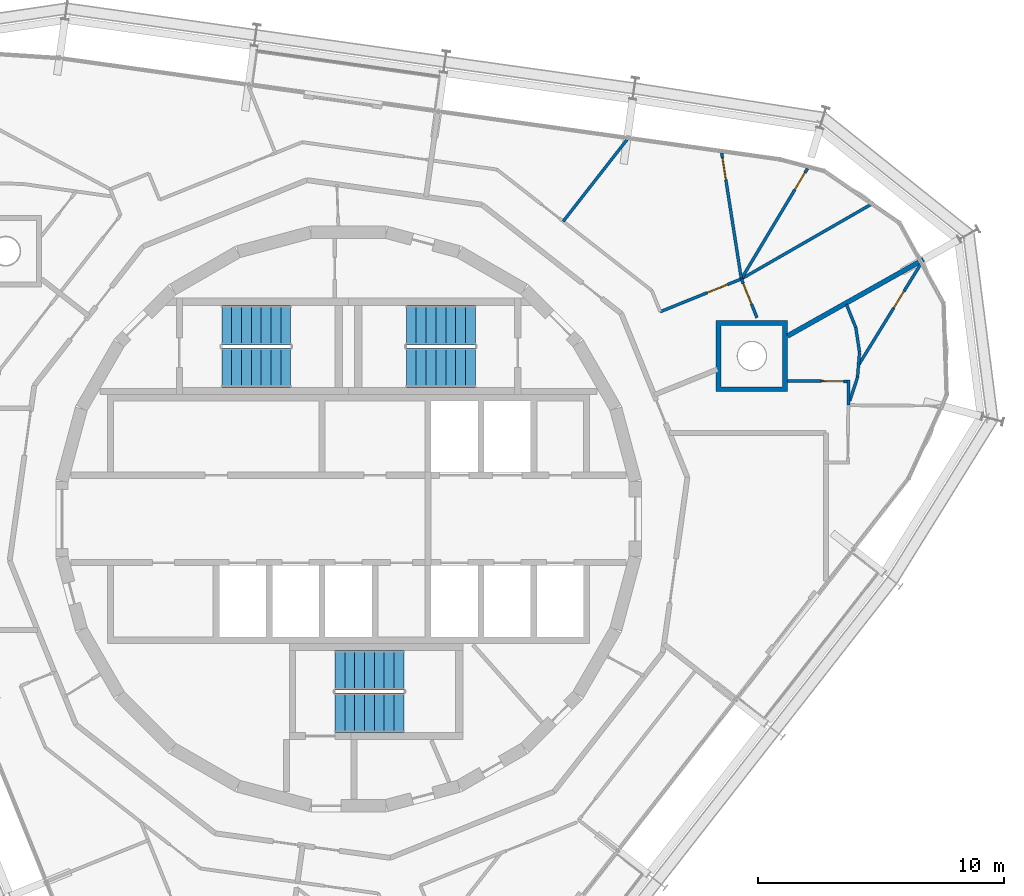
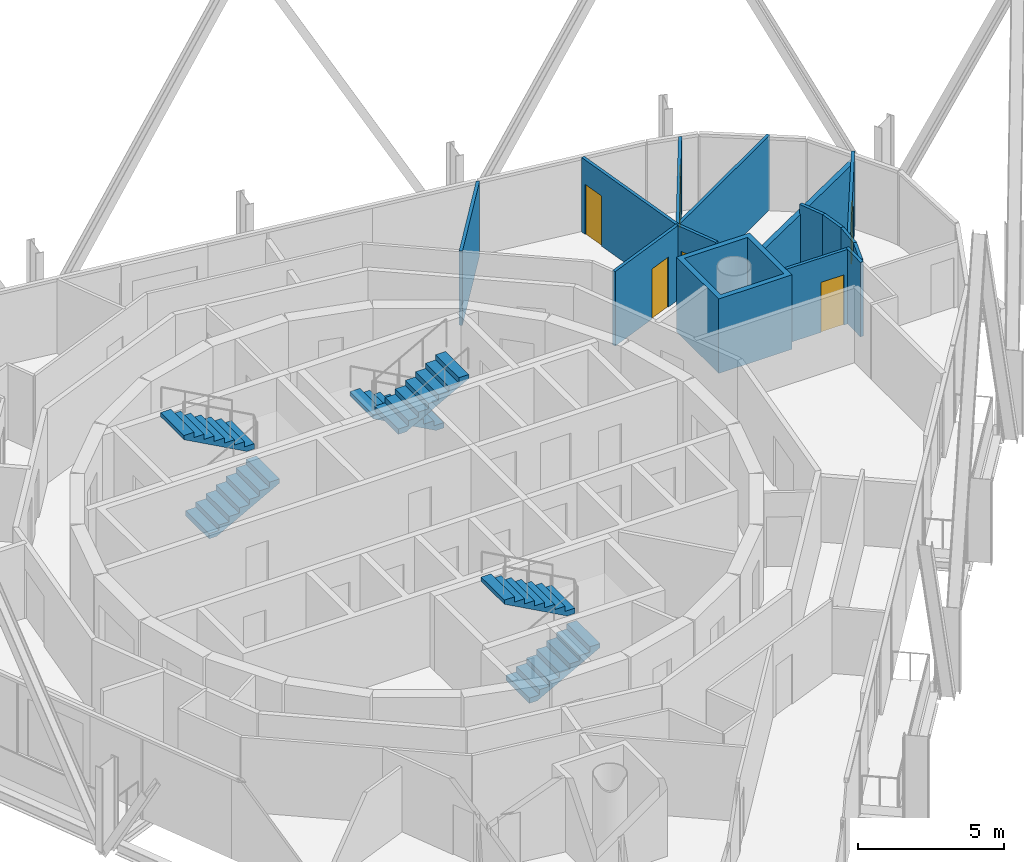
# One storey, part 14 of 15: 15 walls, 6 doors, 6 stair flights, 6 openings, 3 elements without a shape of their own.
"""IFC4 building model written with IfcOpenShell, lengths in metres."""

from ifc_helpers import new_model, si_unit, direction, frame, frame_2d, origin, place, context, subcontext, project, spatial, polyline, rectangle, outline, extrude, material, layer, layer_set, type_object, element, fill, aggregate, save


model = new_model("IFC4")

# Units and contexts
model_context = context("Model", 3, precision=1e-05, world=origin(), true_north=direction((0.0, 1.0)))
body_context = subcontext(model_context, "Body", "Model", "MODEL_VIEW")
ifc_project = project(units=[si_unit("LENGTHUNIT", "METRE"), si_unit("AREAUNIT", "SQUARE_METRE"), si_unit("VOLUMEUNIT", "CUBIC_METRE"), si_unit("PLANEANGLEUNIT", "RADIAN"), si_unit("MASSUNIT", "GRAM", prefix="KILO")], contexts=[model_context])

# Site, building, storey
site_placement = place(None, origin())
site = spatial("IfcSite", under=ifc_project, at=site_placement, CompositionType="ELEMENT")
building_placement = place(site_placement, origin())
building = spatial("IfcBuilding", under=site, at=building_placement, Name="Spindle Arch Residences", CompositionType="ELEMENT")
storey_placement = place(building_placement, frame((0.0, 0.0, 347.0)))
storey = spatial("IfcBuildingStorey", under=building, at=storey_placement, Name="L89", CompositionType="ELEMENT", Elevation=347.0)

# Wall
ifc_material_1 = material(Name="Plasterboard on steel studs", Category="steel")
ifc_layer_1 = layer(ifc_material_1, 0.1201171875)
ifc_layer_set_1 = layer_set([ifc_layer_1], Name="Flat partition 120")
wall_type_1 = type_object("IfcWallType", Name="Flat partition 120", PredefinedType="PARTITIONING", material=ifc_layer_set_1)
wall_1_placement = place(storey_placement, frame((20.30615234375, 4.638671875, 0.0), z_axis=(0.0, 0.0, 1.0), x_axis=(0.008906724211, 0.999960334345, 0.0)))
element("IfcWall", 1, at=wall_1_placement, inside=storey, type_object=wall_type_1, Name="Flat partition R9B0-W033", PredefinedType="PARTITIONING", context=body_context, shape_type="SweptSolid", body=[
    extrude(rectangle(XDim=1.01416015625, YDim=0.1201171875, at=frame_2d((0.507080078125, 0.0))), origin(), (0.0, 0.0, 1.0), 3.1201171875),
])

# Wall, opening, door
wall_2_placement = place(storey_placement, frame((20.314697265625, 5.593017578125, 0.0), z_axis=(0.0, 0.0, 1.0), x_axis=(-0.999960597409, 0.008877140833, 0.0)))
wall_2 = element("IfcWall", 2, at=wall_2_placement, inside=storey, type_object=wall_type_1, Name="Flat partition R9B0-W034", PredefinedType="PARTITIONING", context=body_context, shape_type="SweptSolid", body=[
    extrude(rectangle(XDim=2.47509765625, YDim=0.1201171875, at=frame_2d((1.237548828125, 0.0))), origin(), (0.0, 0.0, 1.0), 3.1201171875),
])
opening_1_placement = place(wall_2_placement, frame((0.199951171875, 0.0, 0.0)))
opening_1 = element("IfcOpeningElement", 3, at=opening_1_placement, cuts=wall_2, Name="Opening R9B0-ID02", PredefinedType="OPENING", context=body_context, shape_type="SweptSolid", body=[
    extrude(rectangle(XDim=0.89990234375, YDim=2.10009765625, at=frame_2d((0.449951171875, 1.050048828125))), frame((0.0, 0.070068359375, 0.0), z_axis=(0.0, -1.0, 0.0), x_axis=(1.0, 0.0, 0.0)), (0.0, 0.0, 1.0), 0.14013671875),
])
ifc_material_2 = material(Name="Timber door set", Category="wood")
door_type_1 = type_object("IfcDoorType", Name="Room door 900x2100", OperationType="NOTDEFINED", PredefinedType="DOOR", material=ifc_material_2)
door_1_placement = place(opening_1_placement, origin())
door_1 = element("IfcDoor", 4, at=door_1_placement, inside=storey, type_object=door_type_1, Name="Room door R9B0-ID02", OperationType="SINGLE_SWING_RIGHT", OverallHeight=2.10009765625, OverallWidth=0.89990234375, PredefinedType="DOOR", context=body_context, shape_type="SweptSolid", body=[
    extrude(rectangle(XDim=0.89990234375, YDim=2.10009765625, at=frame_2d((0.449951171875, 1.050048828125))), frame((0.0, 0.02490234375, 0.0), z_axis=(0.0, -1.0, 0.0), x_axis=(1.0, 0.0, 0.0)), (0.0, 0.0, 1.0), 0.050048828125),
])
fill(opening_1, door_1)

# Walls
wall_3_placement = place(storey_placement, frame((20.762451171875, 6.774658203125, 0.0), z_axis=(0.0, 0.0, 1.0), x_axis=(-0.08121587, -0.996696534789, 0.0)))
element("IfcWall", 5, at=wall_3_placement, inside=storey, type_object=wall_type_1, Name="Flat partition R9B0-W036", PredefinedType="PARTITIONING", context=body_context, shape_type="SweptSolid", body=[
    extrude(rectangle(XDim=1.01611328125, YDim=0.1201171875, at=frame_2d((0.508056640625, 0.0))), origin(), (0.0, 0.0, 1.0), 3.1201171875),
])
wall_4_placement = place(storey_placement, frame((20.679931640625, 5.761962890625, 0.0), z_axis=(0.0, 0.0, 1.0), x_axis=(-0.30908063779, -0.951035834942, 0.0)))
element("IfcWall", 6, at=wall_4_placement, inside=storey, type_object=wall_type_1, Name="Flat partition R9B0-W037", PredefinedType="PARTITIONING", context=body_context, shape_type="SweptSolid", body=[
    extrude(rectangle(XDim=1.015869140625, YDim=0.1201171875, at=frame_2d((0.5078125, 0.0))), origin(), (0.0, 0.0, 1.0), 3.1201171875),
])

# Wall, opening, door
wall_5_placement = place(storey_placement, frame((23.357421875, 10.532470703125, 0.0), z_axis=(0.0, 0.0, 1.0), x_axis=(-0.524476563806, -0.851424884542, 0.0)))
wall_5 = element("IfcWall", 7, at=wall_5_placement, inside=storey, type_object=wall_type_1, Name="Flat partition R9B0-W038", PredefinedType="PARTITIONING", context=body_context, shape_type="SweptSolid", body=[
    extrude(rectangle(XDim=5.029296875, YDim=0.1201171875, at=frame_2d((2.5146484375, 0.0))), origin(), (0.0, 0.0, 1.0), 3.1201171875),
])
opening_2_placement = place(wall_5_placement, frame((1.5, 0.0, 0.0)))
opening_2 = element("IfcOpeningElement", 8, at=opening_2_placement, cuts=wall_5, Name="Opening R9B0-BD01", PredefinedType="OPENING", context=body_context, shape_type="SweptSolid", body=[
    extrude(rectangle(XDim=0.800048828125, YDim=2.10009765625, at=frame_2d((0.39990234375, 1.050048828125))), frame((0.0, 0.070068359375, 0.0), z_axis=(0.0, -1.0, 0.0), x_axis=(1.0, 0.0, 0.0)), (0.0, 0.0, 1.0), 0.14013671875),
])
ifc_material_3 = material(Name="Timber door set", Category="wood")
door_type_2 = type_object("IfcDoorType", Name="Bathroom door 800x2100", OperationType="NOTDEFINED", PredefinedType="DOOR", material=ifc_material_3)
door_2_placement = place(opening_2_placement, origin())
door_2 = element("IfcDoor", 9, at=door_2_placement, inside=storey, type_object=door_type_2, Name="Bathroom door R9B0-BD01", OperationType="SINGLE_SWING_RIGHT", OverallHeight=2.10009765625, OverallWidth=0.800048828125, PredefinedType="DOOR", context=body_context, shape_type="SweptSolid", body=[
    extrude(rectangle(XDim=0.800048828125, YDim=2.10009765625, at=frame_2d((0.39990234375, 1.050048828125))), frame((0.0, 0.02490234375, 0.0), z_axis=(0.0, -1.0, 0.0), x_axis=(1.0, 0.0, 0.0)), (0.0, 0.0, 1.0), 0.050048828125),
])
fill(opening_2, door_2)

# Walls
wall_6_placement = place(storey_placement, frame((20.762451171875, 6.774658203125, 0.0), z_axis=(0.0, 0.0, 1.0), x_axis=(-0.150702440861, 0.988579169474, 0.0)))
element("IfcWall", 10, at=wall_6_placement, inside=storey, type_object=wall_type_1, Name="Flat partition R9B0-W039", PredefinedType="PARTITIONING", context=body_context, shape_type="SweptSolid", body=[
    extrude(rectangle(XDim=1.015869140625, YDim=0.1201171875, at=frame_2d((0.5078125, 0.0))), origin(), (0.0, 0.0, 1.0), 3.1201171875),
])
wall_7_placement = place(storey_placement, frame((20.609375, 7.77880859375, 0.0), z_axis=(0.0, 0.0, 1.0), x_axis=(-0.374371668856, 0.927278735633, 0.0)))
element("IfcWall", 11, at=wall_7_placement, inside=storey, type_object=wall_type_1, Name="Flat partition R9B0-W040", PredefinedType="PARTITIONING", context=body_context, shape_type="SweptSolid", body=[
    extrude(rectangle(XDim=1.01611328125, YDim=0.1201171875, at=frame_2d((0.508056640625, 0.0))), origin(), (0.0, 0.0, 1.0), 3.1201171875),
])

# Wall, opening, door
wall_8_placement = place(storey_placement, frame((16.59716796875, 8.177001953125, 0.0), z_axis=(0.0, 0.0, 1.0), x_axis=(-0.374631609957, 0.927173746835, 0.0)))
wall_8 = element("IfcWall", 12, at=wall_8_placement, inside=storey, type_object=wall_type_1, Name="Flat partition R9B0-W041", PredefinedType="PARTITIONING", context=body_context, shape_type="SweptSolid", body=[
    extrude(rectangle(XDim=1.7001953125, YDim=0.1201171875, at=frame_2d((0.85009765625, 0.0))), origin(), (0.0, 0.0, 1.0), 3.1201171875),
])
opening_3_placement = place(wall_8_placement, frame((0.60009765625, 0.0, 0.0)))
opening_3 = element("IfcOpeningElement", 13, at=opening_3_placement, cuts=wall_8, Name="Opening R9B0-ID04", PredefinedType="OPENING", context=body_context, shape_type="SweptSolid", body=[
    extrude(rectangle(XDim=0.89990234375, YDim=2.10009765625, at=frame_2d((0.449951171875, 1.050048828125))), frame((0.0, 0.070068359375, 0.0), z_axis=(0.0, -1.0, 0.0), x_axis=(1.0, 0.0, 0.0)), (0.0, 0.0, 1.0), 0.14013671875),
])
door_3_placement = place(opening_3_placement, origin())
door_3 = element("IfcDoor", 14, at=door_3_placement, inside=storey, type_object=door_type_1, Name="Room door R9B0-ID04", OperationType="SINGLE_SWING_LEFT", OverallHeight=2.10009765625, OverallWidth=0.89990234375, PredefinedType="DOOR", context=body_context, shape_type="SweptSolid", body=[
    extrude(rectangle(XDim=0.89990234375, YDim=2.10009765625, at=frame_2d((0.449951171875, 1.050048828125))), frame((0.0, 0.02490234375, 0.0), z_axis=(0.0, -1.0, 0.0), x_axis=(1.0, 0.0, 0.0)), (0.0, 0.0, 1.0), 0.050048828125),
])
fill(opening_3, door_3)

wall_9_placement = place(storey_placement, frame((15.960205078125, 9.75341796875, 0.0), z_axis=(0.0, 0.0, 1.0), x_axis=(-0.927148174805, -0.37469489182, 0.0)))
wall_9 = element("IfcWall", 15, at=wall_9_placement, inside=storey, type_object=wall_type_1, Name="Flat partition R9B0-W042", PredefinedType="PARTITIONING", context=body_context, shape_type="SweptSolid", body=[
    extrude(rectangle(XDim=3.5517578125, YDim=0.1201171875, at=frame_2d((1.77587890625, 0.0))), origin(), (0.0, 0.0, 1.0), 3.1201171875),
])
opening_4_placement = place(wall_9_placement, frame((0.60009765625, 0.0, 0.0)))
opening_4 = element("IfcOpeningElement", 16, at=opening_4_placement, cuts=wall_9, Name="Opening R9B0-ID05", PredefinedType="OPENING", context=body_context, shape_type="SweptSolid", body=[
    extrude(rectangle(XDim=0.89990234375, YDim=2.10009765625, at=frame_2d((0.449951171875, 1.050048828125))), frame((0.0, 0.070068359375, 0.0), z_axis=(0.0, -1.0, 0.0), x_axis=(1.0, 0.0, 0.0)), (0.0, 0.0, 1.0), 0.14013671875),
])
door_4_placement = place(opening_4_placement, origin())
door_4 = element("IfcDoor", 17, at=door_4_placement, inside=storey, type_object=door_type_1, Name="Room door R9B0-ID05", OperationType="SINGLE_SWING_RIGHT", OverallHeight=2.10009765625, OverallWidth=0.89990234375, PredefinedType="DOOR", context=body_context, shape_type="SweptSolid", body=[
    extrude(rectangle(XDim=0.89990234375, YDim=2.10009765625, at=frame_2d((0.449951171875, 1.050048828125))), frame((0.0, 0.02490234375, 0.0), z_axis=(0.0, -1.0, 0.0), x_axis=(1.0, 0.0, 0.0)), (0.0, 0.0, 1.0), 0.050048828125),
])
fill(opening_4, door_4)

# Wall
wall_10_placement = place(storey_placement, frame((21.3427734375, 12.847412109375, 0.0), z_axis=(0.0, 0.0, 1.0), x_axis=(-0.866974691568, -0.498352168832, 0.0)))
element("IfcWall", 18, at=wall_10_placement, inside=storey, type_object=wall_type_1, Name="Flat partition R9B0-W046", PredefinedType="PARTITIONING", context=body_context, shape_type="SweptSolid", body=[
    extrude(rectangle(XDim=6.20849609375, YDim=0.1201171875, at=frame_2d((3.104248046875, 0.0))), origin(), (0.0, 0.0, 1.0), 3.1201171875),
])

# Wall, opening, door
wall_11_placement = place(storey_placement, frame((18.6494140625, 14.243896484375, 0.0), z_axis=(0.0, 0.0, 1.0), x_axis=(-0.513782200586, -0.85792065505, 0.0)))
wall_11 = element("IfcWall", 19, at=wall_11_placement, inside=storey, type_object=wall_type_1, Name="Flat partition R9B0-W047", PredefinedType="PARTITIONING", context=body_context, shape_type="SweptSolid", body=[
    extrude(rectangle(XDim=5.234130859375, YDim=0.1201171875, at=frame_2d((2.6171875, 0.0))), origin(), (0.0, 0.0, 1.0), 3.1201171875),
])
opening_5_placement = place(wall_11_placement, frame((0.199951171875, 0.0, 0.0)))
opening_5 = element("IfcOpeningElement", 20, at=opening_5_placement, cuts=wall_11, Name="Opening R9B0-BD02", PredefinedType="OPENING", context=body_context, shape_type="SweptSolid", body=[
    extrude(rectangle(XDim=0.800048828125, YDim=2.10009765625, at=frame_2d((0.39990234375, 1.050048828125))), frame((0.0, 0.070068359375, 0.0), z_axis=(0.0, -1.0, 0.0), x_axis=(1.0, 0.0, 0.0)), (0.0, 0.0, 1.0), 0.14013671875),
])
door_5_placement = place(opening_5_placement, origin())
door_5 = element("IfcDoor", 21, at=door_5_placement, inside=storey, type_object=door_type_2, Name="Bathroom door R9B0-BD02", OperationType="SINGLE_SWING_LEFT", OverallHeight=2.10009765625, OverallWidth=0.800048828125, PredefinedType="DOOR", context=body_context, shape_type="SweptSolid", body=[
    extrude(rectangle(XDim=0.800048828125, YDim=2.10009765625, at=frame_2d((0.39990234375, 1.050048828125))), frame((0.0, 0.02490234375, 0.0), z_axis=(0.0, -1.0, 0.0), x_axis=(1.0, 0.0, 0.0)), (0.0, 0.0, 1.0), 0.050048828125),
])
fill(opening_5, door_5)

wall_12_placement = place(storey_placement, frame((15.16015625, 14.873291015625, 0.0), z_axis=(0.0, 0.0, 1.0), x_axis=(0.154389815045, -0.988010012606, 0.0)))
wall_12 = element("IfcWall", 22, at=wall_12_placement, inside=storey, type_object=wall_type_1, Name="Flat partition R9B0-W048", PredefinedType="PARTITIONING", context=body_context, shape_type="SweptSolid", body=[
    extrude(rectangle(XDim=5.181884765625, YDim=0.1201171875, at=frame_2d((2.5908203125, 0.0))), origin(), (0.0, 0.0, 1.0), 3.1201171875),
])
opening_6_placement = place(wall_12_placement, frame((0.199951171875, 0.0, 0.0)))
opening_6 = element("IfcOpeningElement", 23, at=opening_6_placement, cuts=wall_12, Name="Opening R9B0-ID07", PredefinedType="OPENING", context=body_context, shape_type="SweptSolid", body=[
    extrude(rectangle(XDim=0.89990234375, YDim=2.10009765625, at=frame_2d((0.449951171875, 1.050048828125))), frame((0.0, 0.070068359375, 0.0), z_axis=(0.0, -1.0, 0.0), x_axis=(1.0, 0.0, 0.0)), (0.0, 0.0, 1.0), 0.14013671875),
])
door_6_placement = place(opening_6_placement, origin())
door_6 = element("IfcDoor", 24, at=door_6_placement, inside=storey, type_object=door_type_1, Name="Room door R9B0-ID07", OperationType="SINGLE_SWING_LEFT", OverallHeight=2.10009765625, OverallWidth=0.89990234375, PredefinedType="DOOR", context=body_context, shape_type="SweptSolid", body=[
    extrude(rectangle(XDim=0.89990234375, YDim=2.10009765625, at=frame_2d((0.449951171875, 1.050048828125))), frame((0.0, 0.02490234375, 0.0), z_axis=(0.0, -1.0, 0.0), x_axis=(1.0, 0.0, 0.0)), (0.0, 0.0, 1.0), 0.050048828125),
])
fill(opening_6, door_6)

# Walls
wall_13_placement = place(storey_placement, frame((11.315185546875, 15.413818359375, 0.0), z_axis=(0.0, 0.0, 1.0), x_axis=(-0.615656413137, -0.788014708596, 0.0)))
element("IfcWall", 25, at=wall_13_placement, inside=storey, type_object=wall_type_1, Name="Flat partition R9B0-W049", PredefinedType="PARTITIONING", context=body_context, shape_type="SweptSolid", body=[
    extrude(rectangle(XDim=4.212646484375, YDim=0.1201171875, at=frame_2d((2.1064453125, 0.0))), origin(), (0.0, 0.0, 1.0), 3.1201171875),
])
ifc_material_4 = material(Name="Calcium silicate block, plastered")
ifc_layer_2 = layer(ifc_material_4, 0.199951171875)
ifc_layer_set_2 = layer_set([ifc_layer_2], Name="Flat party wall 200 under beam 2730")
wall_type_2 = type_object("IfcWallType", Name="Flat party wall 200 under beam 2730", PredefinedType="STANDARD", material=ifc_layer_set_2)
wall_14_placement = place(storey_placement, frame((23.354248046875, 10.536865234375, 0.0), z_axis=(0.0, 0.0, 1.0), x_axis=(-0.871719790551, -0.490004700754, 0.0)))
element("IfcWall", 26, at=wall_14_placement, inside=storey, type_object=wall_type_2, Name="Flat party wall R9B0-W024", PredefinedType="STANDARD", context=body_context, shape_type="SweptSolid", body=[
    extrude(rectangle(XDim=6.326171875, YDim=0.199951171875, at=frame_2d((3.1630859375, 0.0))), origin(), (0.0, 0.0, 1.0), 2.72998046875),
])
ifc_material_5 = material(Name="Calcium silicate block, plastered")
ifc_layer_3 = layer(ifc_material_5, 0.199951171875)
ifc_layer_set_3 = layer_set([ifc_layer_3], Name="Mega-column casing wall 200")
wall_type_3 = type_object("IfcWallType", Name="Mega-column casing wall 200", PredefinedType="STANDARD", material=ifc_layer_set_3)
wall_15_placement = place(storey_placement, origin())
element("IfcWall", 27, at=wall_15_placement, inside=storey, type_object=wall_type_3, Name="Mega-column casing wall R9B0-WC01", PredefinedType="STANDARD", context=body_context, shape_type="SweptSolid", body=[
    extrude(outline(polyline([(17.839599609375, 8.072021484375), (17.839599609375, 5.171875), (14.939697265625, 5.171875), (14.939697265625, 8.072021484375), (17.839599609375, 8.072021484375)]), holes=[polyline([(15.1396484375, 5.371826171875), (17.6396484375, 5.371826171875), (17.6396484375, 7.871826171875), (15.1396484375, 7.871826171875), (15.1396484375, 5.371826171875)])]), origin(), (0.0, 0.0, 1.0), 3.1201171875),
])

# Stair, stair flights
ifc_material_6 = material(Name="Concrete C50/60", Category="concrete")
stair_type = type_object("IfcStairType", Name="Exit stair 16 risers", PredefinedType="HALF_TURN_STAIR", material=ifc_material_6)
stair_1_placement = place(storey_placement, origin())
stair_1 = element("IfcStair", 28, at=stair_1_placement, inside=storey, type_object=stair_type, Name="L89 Exit stair ST1", PredefinedType="HALF_TURN_STAIR")
ifc_material_7 = material(Name="Concrete C50/60", Category="concrete")
stair_flight_type = type_object("IfcStairFlightType", Name="Exit stair flight", PredefinedType="STRAIGHT", material=ifc_material_7)
stair_flight_1_placement = place(storey_placement, frame((5.14990234375, 7.8701171875, 0.0), z_axis=(0.0, 0.0, 1.0), x_axis=(-1.0, 0.0, 0.0)))
stair_flight_1 = element("IfcStairFlight", 29, at=stair_flight_1_placement, type_object=stair_flight_type, Name="ST1 flight 1", NumberOfRisers=8, NumberOfTreads=7, PredefinedType="STRAIGHT", RiserHeight=0.21875, TreadLength=0.4, context=body_context, shape_type="SweptSolid", body=[
    extrude(outline(polyline([(0.0, 0.0), (0.0, 0.21875), (0.39990234375, 0.21875), (0.39990234375, 0.4375), (0.800048828125, 0.4375), (0.800048828125, 0.65625), (1.199951171875, 0.65625), (1.199951171875, 0.875), (1.60009765625, 0.875), (1.60009765625, 1.09375), (2.0, 1.09375), (2.0, 1.3125), (2.39990234375, 1.3125), (2.39990234375, 1.53125), (2.800048828125, 1.53125), (2.800048828125, 1.75), (2.800048828125, 1.3603515625), (0.3125, 0.0), (0.0, 0.0)])), frame((0.0, 0.800048828125, 0.0), z_axis=(0.0, -1.0, 0.0), x_axis=(1.0, 0.0, 0.0)), (0.0, 0.0, 1.0), 1.60009765625),
])
stair_flight_2_placement = place(storey_placement, frame((2.35009765625, 6.14990234375, 1.75), z_axis=(0.0, 0.0, 1.0), x_axis=(1.0, 0.0, 0.0)))
stair_flight_2 = element("IfcStairFlight", 30, at=stair_flight_2_placement, type_object=stair_flight_type, Name="ST1 flight 2", NumberOfRisers=8, NumberOfTreads=7, PredefinedType="STRAIGHT", RiserHeight=0.21875, TreadLength=0.4, context=body_context, shape_type="SweptSolid", body=[
    extrude(outline(polyline([(0.0, 0.0), (0.0, 0.21875), (0.39990234375, 0.21875), (0.39990234375, 0.4375), (0.800048828125, 0.4375), (0.800048828125, 0.65625), (1.199951171875, 0.65625), (1.199951171875, 0.875), (1.60009765625, 0.875), (1.60009765625, 1.09375), (2.0, 1.09375), (2.0, 1.3125), (2.39990234375, 1.3125), (2.39990234375, 1.53125), (2.800048828125, 1.53125), (2.800048828125, 1.75), (2.800048828125, 1.3603515625), (0.3125, 0.0), (0.0, 0.0)])), frame((0.0, 0.800048828125, 0.0), z_axis=(0.0, -1.0, 0.0), x_axis=(1.0, 0.0, 0.0)), (0.0, 0.0, 1.0), 1.60009765625),
])
aggregate(stair_1, [stair_flight_1, stair_flight_2])

stair_2_placement = place(storey_placement, origin())
stair_2 = element("IfcStair", 31, at=stair_2_placement, inside=storey, type_object=stair_type, Name="L89 Exit stair ST2", PredefinedType="HALF_TURN_STAIR")
stair_flight_3_placement = place(storey_placement, frame((-5.14990234375, 6.14990234375, 0.0), z_axis=(0.0, 0.0, 1.0), x_axis=(1.0, 0.0, 0.0)))
stair_flight_3 = element("IfcStairFlight", 32, at=stair_flight_3_placement, type_object=stair_flight_type, Name="ST2 flight 1", NumberOfRisers=8, NumberOfTreads=7, PredefinedType="STRAIGHT", RiserHeight=0.21875, TreadLength=0.4, context=body_context, shape_type="SweptSolid", body=[
    extrude(outline(polyline([(0.0, 0.0), (0.0, 0.21875), (0.39990234375, 0.21875), (0.39990234375, 0.4375), (0.800048828125, 0.4375), (0.800048828125, 0.65625), (1.199951171875, 0.65625), (1.199951171875, 0.875), (1.60009765625, 0.875), (1.60009765625, 1.09375), (2.0, 1.09375), (2.0, 1.3125), (2.39990234375, 1.3125), (2.39990234375, 1.53125), (2.800048828125, 1.53125), (2.800048828125, 1.75), (2.800048828125, 1.3603515625), (0.3125, 0.0), (0.0, 0.0)])), frame((0.0, 0.800048828125, 0.0), z_axis=(0.0, -1.0, 0.0), x_axis=(1.0, 0.0, 0.0)), (0.0, 0.0, 1.0), 1.60009765625),
])
stair_flight_4_placement = place(storey_placement, frame((-2.35009765625, 7.8701171875, 1.75), z_axis=(0.0, 0.0, 1.0), x_axis=(-1.0, 0.0, 0.0)))
stair_flight_4 = element("IfcStairFlight", 33, at=stair_flight_4_placement, type_object=stair_flight_type, Name="ST2 flight 2", NumberOfRisers=8, NumberOfTreads=7, PredefinedType="STRAIGHT", RiserHeight=0.21875, TreadLength=0.4, context=body_context, shape_type="SweptSolid", body=[
    extrude(outline(polyline([(0.0, 0.0), (0.0, 0.21875), (0.39990234375, 0.21875), (0.39990234375, 0.4375), (0.800048828125, 0.4375), (0.800048828125, 0.65625), (1.199951171875, 0.65625), (1.199951171875, 0.875), (1.60009765625, 0.875), (1.60009765625, 1.09375), (2.0, 1.09375), (2.0, 1.3125), (2.39990234375, 1.3125), (2.39990234375, 1.53125), (2.800048828125, 1.53125), (2.800048828125, 1.75), (2.800048828125, 1.3603515625), (0.3125, 0.0), (0.0, 0.0)])), frame((0.0, 0.800048828125, 0.0), z_axis=(0.0, -1.0, 0.0), x_axis=(1.0, 0.0, 0.0)), (0.0, 0.0, 1.0), 1.60009765625),
])
aggregate(stair_2, [stair_flight_3, stair_flight_4])

stair_3_placement = place(storey_placement, origin())
stair_3 = element("IfcStair", 34, at=stair_3_placement, inside=storey, type_object=stair_type, Name="L89 Exit stair ST3", PredefinedType="HALF_TURN_STAIR")
stair_flight_5_placement = place(storey_placement, frame((-0.550048828125, -7.8701171875, 0.0), z_axis=(0.0, 0.0, 1.0), x_axis=(1.0, 0.0, 0.0)))
stair_flight_5 = element("IfcStairFlight", 35, at=stair_flight_5_placement, type_object=stair_flight_type, Name="ST3 flight 1", NumberOfRisers=8, NumberOfTreads=7, PredefinedType="STRAIGHT", RiserHeight=0.21875, TreadLength=0.4, context=body_context, shape_type="SweptSolid", body=[
    extrude(outline(polyline([(0.0, 0.0), (0.0, 0.21875), (0.39990234375, 0.21875), (0.39990234375, 0.4375), (0.800048828125, 0.4375), (0.800048828125, 0.65625), (1.199951171875, 0.65625), (1.199951171875, 0.875), (1.60009765625, 0.875), (1.60009765625, 1.09375), (2.0, 1.09375), (2.0, 1.3125), (2.39990234375, 1.3125), (2.39990234375, 1.53125), (2.800048828125, 1.53125), (2.800048828125, 1.75), (2.800048828125, 1.3603515625), (0.3125, 0.0), (0.0, 0.0)])), frame((0.0, 0.800048828125, 0.0), z_axis=(0.0, -1.0, 0.0), x_axis=(1.0, 0.0, 0.0)), (0.0, 0.0, 1.0), 1.60009765625),
])
stair_flight_6_placement = place(storey_placement, frame((2.25, -6.14990234375, 1.75), z_axis=(0.0, 0.0, 1.0), x_axis=(-1.0, 0.0, 0.0)))
stair_flight_6 = element("IfcStairFlight", 36, at=stair_flight_6_placement, type_object=stair_flight_type, Name="ST3 flight 2", NumberOfRisers=8, NumberOfTreads=7, PredefinedType="STRAIGHT", RiserHeight=0.21875, TreadLength=0.4, context=body_context, shape_type="SweptSolid", body=[
    extrude(outline(polyline([(0.0, 0.0), (0.0, 0.21875), (0.39990234375, 0.21875), (0.39990234375, 0.4375), (0.800048828125, 0.4375), (0.800048828125, 0.65625), (1.199951171875, 0.65625), (1.199951171875, 0.875), (1.60009765625, 0.875), (1.60009765625, 1.09375), (2.0, 1.09375), (2.0, 1.3125), (2.39990234375, 1.3125), (2.39990234375, 1.53125), (2.800048828125, 1.53125), (2.800048828125, 1.75), (2.800048828125, 1.3603515625), (0.3125, 0.0), (0.0, 0.0)])), frame((0.0, 0.800048828125, 0.0), z_axis=(0.0, -1.0, 0.0), x_axis=(1.0, 0.0, 0.0)), (0.0, 0.0, 1.0), 1.60009765625),
])
aggregate(stair_3, [stair_flight_5, stair_flight_6])

save(model, "model.ifc")
